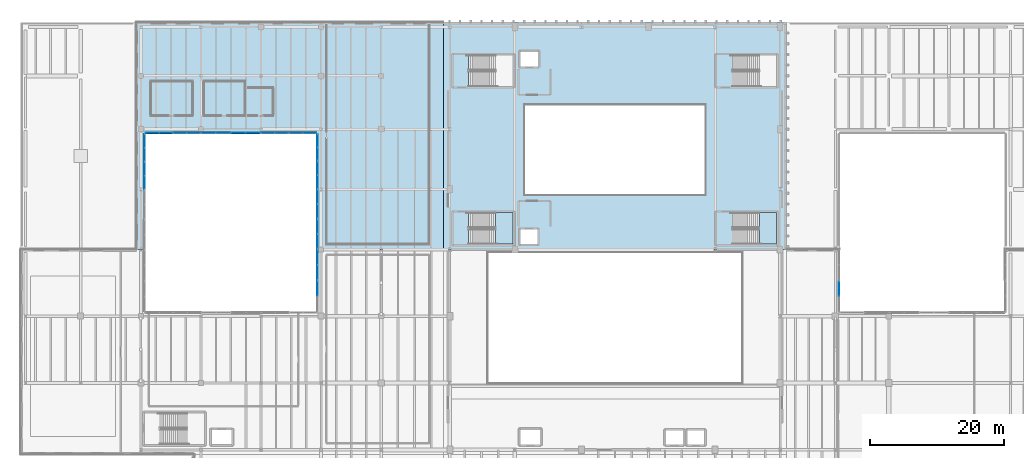
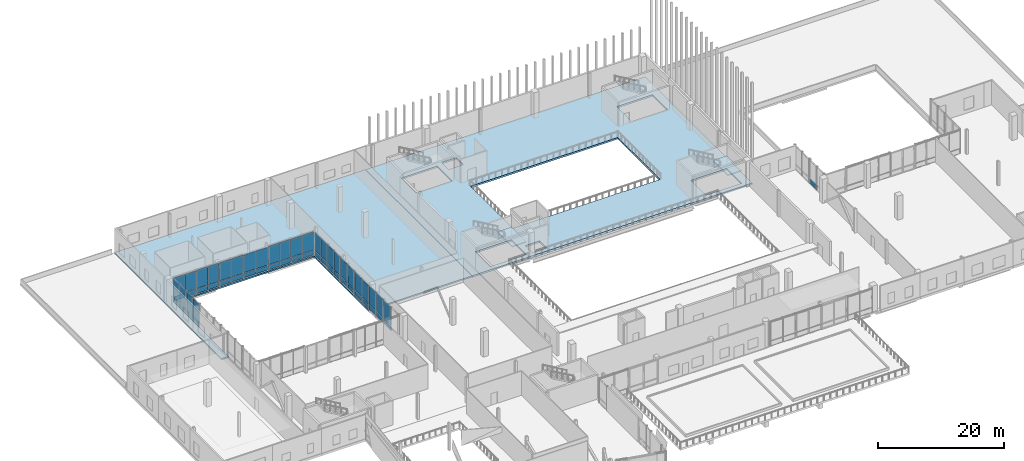
# One storey, part 37 of 60: 55 plates, 4 slabs, 17 elements without a shape of their own.
"""IFC4 building model written with IfcOpenShell, lengths in metres."""

from ifc_helpers import new_model, si_unit, direction, frame, origin, origin_2d, place, context, subcontext, project, spatial, polyline, rectangle, outline, extrude, material, layer, layer_set, type_object, element, aggregate, save


model = new_model("IFC4")

# Units and contexts
model_context = context("Model", 3, precision=1e-05, world=origin(), true_north=direction((0.0, 1.0)))
body_context = subcontext(model_context, "Body", "Model", "MODEL_VIEW")
ifc_project = project(units=[si_unit("LENGTHUNIT", "METRE"), si_unit("AREAUNIT", "SQUARE_METRE"), si_unit("VOLUMEUNIT", "CUBIC_METRE"), si_unit("PLANEANGLEUNIT", "RADIAN"), si_unit("MASSUNIT", "GRAM", prefix="KILO")], contexts=[model_context])

# Site, building, storey
site_placement = place(None, origin())
site = spatial("IfcSite", under=ifc_project, at=site_placement, CompositionType="ELEMENT")
building_placement = place(site_placement, origin())
building = spatial("IfcBuilding", under=site, at=building_placement, Name="Trimount Lyric Opera House", CompositionType="ELEMENT")
storey_placement = place(building_placement, frame((0.0, 0.0, 15.0)))
storey = spatial("IfcBuildingStorey", under=building, at=storey_placement, Name="L03", CompositionType="ELEMENT", Elevation=15.0)

# Curtain wall, plate
ifc_material_1 = material(Name="Thermally Broken Aluminium and Low-E Glass", Category="aluminium")
curtain_wall_type = type_object("IfcCurtainWallType", Name="CW-03", PredefinedType="NOTDEFINED", material=ifc_material_1)
curtain_wall_1_placement = place(storey_placement, origin())
curtain_wall_1 = element("IfcCurtainWall", 1, at=curtain_wall_1_placement, inside=storey, type_object=curtain_wall_type, Name="L03 curtain wall 248", PredefinedType="NOTDEFINED")
ifc_material_2 = material(Name="Triple Low-E Acoustic Laminated Glass", Category="glass")
ifc_layer_1 = layer(ifc_material_2, 0.035888671875)
ifc_layer_set_1 = layer_set([ifc_layer_1], Name="CWP-01")
plate_type_1 = type_object("IfcPlateType", Name="CWP-01", PredefinedType="CURTAIN_PANEL", material=ifc_layer_set_1)
plate_1_placement = place(storey_placement, frame((122.5400390625, 78.092529296875, 0.114990234375), z_axis=(0.0, 0.0, 1.0), x_axis=(0.0, -1.0, 0.0)))
plate_1 = element("IfcPlate", 2, at=plate_1_placement, type_object=plate_type_1, Name="CW-03 panel 1.1", PredefinedType="CURTAIN_PANEL", context=body_context, shape_type="SweptSolid", body=[
    extrude(rectangle(XDim=2.195068359375, YDim=0.035888671875, at=origin_2d()), origin(), (0.0, 0.0, 1.0), 0.87744140625),
])
aggregate(curtain_wall_1, [plate_1])

curtain_wall_2_placement = place(storey_placement, origin())
curtain_wall_2 = element("IfcCurtainWall", 3, at=curtain_wall_2_placement, inside=storey, type_object=curtain_wall_type, Name="L03 curtain wall 277", PredefinedType="NOTDEFINED")
plate_2_placement = place(storey_placement, frame((44.4599609375, 78.15869140625, 0.13525390625), z_axis=(0.0, 0.0, 1.0), x_axis=(0.0, 1.0, 0.0)))
plate_2 = element("IfcPlate", 4, at=plate_2_placement, type_object=plate_type_1, Name="CW-03 panel 2.1", PredefinedType="CURTAIN_PANEL", context=body_context, shape_type="SweptSolid", body=[
    extrude(rectangle(XDim=2.232421875, YDim=0.035888671875, at=origin_2d()), origin(), (0.0, 0.0, 1.0), 0.847412109375),
])

# Curtain wall, plates
curtain_wall_3_placement = place(storey_placement, origin())
curtain_wall_3 = element("IfcCurtainWall", 5, at=curtain_wall_3_placement, inside=storey, type_object=curtain_wall_type, Name="L03 curtain wall 278", PredefinedType="NOTDEFINED")
plate_3_placement = place(storey_placement, frame((44.4599609375, 80.58740234375, 0.114990234375), z_axis=(0.0, 0.0, 1.0), x_axis=(0.0, 1.0, 0.0)))
plate_3 = element("IfcPlate", 6, at=plate_3_placement, type_object=plate_type_1, Name="CW-03 panel 1.1", PredefinedType="CURTAIN_PANEL", context=body_context, shape_type="SweptSolid", body=[
    extrude(rectangle(XDim=2.195068359375, YDim=0.035888671875, at=origin_2d()), origin(), (0.0, 0.0, 1.0), 0.87744140625),
])
plate_4_placement = place(storey_placement, frame((44.4599609375, 82.842529296875, 0.114990234375), z_axis=(0.0, 0.0, 1.0), x_axis=(0.0, 1.0, 0.0)))
plate_4 = element("IfcPlate", 7, at=plate_4_placement, type_object=plate_type_1, Name="CW-03 panel 2.1", PredefinedType="CURTAIN_PANEL", context=body_context, shape_type="SweptSolid", body=[
    extrude(rectangle(XDim=2.195068359375, YDim=0.035888671875, at=origin_2d()), origin(), (0.0, 0.0, 1.0), 0.87744140625),
])

curtain_wall_4_placement = place(storey_placement, origin())
curtain_wall_4 = element("IfcCurtainWall", 8, at=curtain_wall_4_placement, inside=storey, type_object=curtain_wall_type, Name="L03 curtain wall 279", PredefinedType="NOTDEFINED")
plate_5_placement = place(storey_placement, frame((44.4599609375, 85.2099609375, 0.159912109375), z_axis=(0.0, 0.0, 1.0), x_axis=(0.0, 1.0, 0.0)))
plate_5 = element("IfcPlate", 9, at=plate_5_placement, type_object=plate_type_1, Name="CW-03 panel 1.1", PredefinedType="CURTAIN_PANEL", context=body_context, shape_type="SweptSolid", body=[
    extrude(rectangle(XDim=2.10009765625, YDim=0.035888671875, at=origin_2d()), origin(), (0.0, 0.0, 1.0), 0.81005859375),
])
plate_6_placement = place(storey_placement, frame((44.4599609375, 87.3798828125, 0.159912109375), z_axis=(0.0, 0.0, 1.0), x_axis=(0.0, 1.0, 0.0)))
plate_6 = element("IfcPlate", 10, at=plate_6_placement, type_object=plate_type_1, Name="CW-03 panel 2.1", PredefinedType="CURTAIN_PANEL", context=body_context, shape_type="SweptSolid", body=[
    extrude(rectangle(XDim=2.10009765625, YDim=0.035888671875, at=origin_2d()), origin(), (0.0, 0.0, 1.0), 0.81005859375),
])

curtain_wall_5_placement = place(storey_placement, origin())
curtain_wall_5 = element("IfcCurtainWall", 11, at=curtain_wall_5_placement, inside=storey, type_object=curtain_wall_type, Name="L03 curtain wall 280", PredefinedType="NOTDEFINED")
plate_7_placement = place(storey_placement, frame((44.4599609375, 89.708740234375, 0.13525390625), z_axis=(0.0, 0.0, 1.0), x_axis=(0.0, 1.0, 0.0)))
plate_7 = element("IfcPlate", 12, at=plate_7_placement, type_object=plate_type_1, Name="CW-03 panel 1.1", PredefinedType="CURTAIN_PANEL", context=body_context, shape_type="SweptSolid", body=[
    extrude(rectangle(XDim=2.107421875, YDim=0.035888671875, at=origin_2d()), origin(), (0.0, 0.0, 1.0), 0.847412109375),
])
plate_8_placement = place(storey_placement, frame((44.4599609375, 91.88134765625, 0.13525390625), z_axis=(0.0, 0.0, 1.0), x_axis=(0.0, 1.0, 0.0)))
plate_8 = element("IfcPlate", 13, at=plate_8_placement, type_object=plate_type_1, Name="CW-03 panel 2.1", PredefinedType="CURTAIN_PANEL", context=body_context, shape_type="SweptSolid", body=[
    extrude(rectangle(XDim=2.107421875, YDim=0.035888671875, at=origin_2d()), origin(), (0.0, 0.0, 1.0), 0.847412109375),
])

curtain_wall_6_placement = place(storey_placement, origin())
curtain_wall_6 = element("IfcCurtainWall", 14, at=curtain_wall_6_placement, inside=storey, type_object=curtain_wall_type, Name="L03 curtain wall 281", PredefinedType="NOTDEFINED")
plate_9_placement = place(storey_placement, frame((44.4599609375, 94.12255859375, 0.114990234375), z_axis=(0.0, 0.0, 1.0), x_axis=(0.0, 1.0, 0.0)))
plate_9 = element("IfcPlate", 15, at=plate_9_placement, type_object=plate_type_1, Name="CW-03 panel 1.1", PredefinedType="CURTAIN_PANEL", context=body_context, shape_type="SweptSolid", body=[
    extrude(rectangle(XDim=1.945068359375, YDim=0.035888671875, at=origin_2d()), origin(), (0.0, 0.0, 1.0), 0.87744140625),
])
plate_10_placement = place(storey_placement, frame((44.4599609375, 96.12744140625, 0.114990234375), z_axis=(0.0, 0.0, 1.0), x_axis=(0.0, 1.0, 0.0)))
plate_10 = element("IfcPlate", 16, at=plate_10_placement, type_object=plate_type_1, Name="CW-03 panel 2.1", PredefinedType="CURTAIN_PANEL", context=body_context, shape_type="SweptSolid", body=[
    extrude(rectangle(XDim=1.945068359375, YDim=0.035888671875, at=origin_2d()), origin(), (0.0, 0.0, 1.0), 0.87744140625),
])

curtain_wall_7_placement = place(storey_placement, origin())
curtain_wall_7 = element("IfcCurtainWall", 17, at=curtain_wall_7_placement, inside=storey, type_object=curtain_wall_type, Name="L03 curtain wall 282", PredefinedType="NOTDEFINED")
plate_11_placement = place(storey_placement, frame((44.4599609375, 98.284912109375, 0.159912109375), z_axis=(0.0, 0.0, 1.0), x_axis=(0.0, 1.0, 0.0)))
plate_11 = element("IfcPlate", 18, at=plate_11_placement, type_object=plate_type_1, Name="CW-03 panel 1.1", PredefinedType="CURTAIN_PANEL", context=body_context, shape_type="SweptSolid", body=[
    extrude(rectangle(XDim=1.929931640625, YDim=0.035888671875, at=origin_2d()), origin(), (0.0, 0.0, 1.0), 0.81005859375),
])
plate_12_placement = place(storey_placement, frame((44.4599609375, 100.284912109375, 0.159912109375), z_axis=(0.0, 0.0, 1.0), x_axis=(0.0, 1.0, 0.0)))
plate_12 = element("IfcPlate", 19, at=plate_12_placement, type_object=plate_type_1, Name="CW-03 panel 2.1", PredefinedType="CURTAIN_PANEL", context=body_context, shape_type="SweptSolid", body=[
    extrude(rectangle(XDim=1.929931640625, YDim=0.035888671875, at=origin_2d()), origin(), (0.0, 0.0, 1.0), 0.81005859375),
])

curtain_wall_8_placement = place(storey_placement, origin())
curtain_wall_8 = element("IfcCurtainWall", 20, at=curtain_wall_8_placement, inside=storey, type_object=curtain_wall_type, Name="L03 curtain wall 283", PredefinedType="NOTDEFINED")
plate_13_placement = place(storey_placement, frame((43.263671875, 101.4599609375, 0.13525390625), z_axis=(0.0, 0.0, 1.0), x_axis=(-1.0, 0.0, 0.0)))
plate_13 = element("IfcPlate", 21, at=plate_13_placement, type_object=plate_type_1, Name="CW-03 panel 1.1", PredefinedType="CURTAIN_PANEL", context=body_context, shape_type="SweptSolid", body=[
    extrude(rectangle(XDim=1.982421875, YDim=0.035888671875, at=origin_2d()), origin(), (0.0, 0.0, 1.0), 0.847412109375),
])
plate_14_placement = place(storey_placement, frame((41.21630859375, 101.4599609375, 0.13525390625), z_axis=(0.0, 0.0, 1.0), x_axis=(-1.0, 0.0, 0.0)))
plate_14 = element("IfcPlate", 22, at=plate_14_placement, type_object=plate_type_1, Name="CW-03 panel 2.1", PredefinedType="CURTAIN_PANEL", context=body_context, shape_type="SweptSolid", body=[
    extrude(rectangle(XDim=1.982421875, YDim=0.035888671875, at=origin_2d()), origin(), (0.0, 0.0, 1.0), 0.847412109375),
])

curtain_wall_9_placement = place(storey_placement, origin())
curtain_wall_9 = element("IfcCurtainWall", 23, at=curtain_wall_9_placement, inside=storey, type_object=curtain_wall_type, Name="L03 curtain wall 284", PredefinedType="NOTDEFINED")
plate_15_placement = place(storey_placement, frame((39.03759765625, 101.4599609375, 0.114990234375), z_axis=(0.0, 0.0, 1.0), x_axis=(-1.0, 0.0, 0.0)))
plate_15 = element("IfcPlate", 24, at=plate_15_placement, type_object=plate_type_1, Name="CW-03 panel 1.1", PredefinedType="CURTAIN_PANEL", context=body_context, shape_type="SweptSolid", body=[
    extrude(rectangle(XDim=1.945068359375, YDim=0.035888671875, at=origin_2d()), origin(), (0.0, 0.0, 1.0), 0.87744140625),
])
plate_16_placement = place(storey_placement, frame((37.032470703125, 101.4599609375, 0.114990234375), z_axis=(0.0, 0.0, 1.0), x_axis=(-1.0, 0.0, 0.0)))
plate_16 = element("IfcPlate", 25, at=plate_16_placement, type_object=plate_type_1, Name="CW-03 panel 2.1", PredefinedType="CURTAIN_PANEL", context=body_context, shape_type="SweptSolid", body=[
    extrude(rectangle(XDim=1.945068359375, YDim=0.035888671875, at=origin_2d()), origin(), (0.0, 0.0, 1.0), 0.87744140625),
])

curtain_wall_10_placement = place(storey_placement, origin())
curtain_wall_10 = element("IfcCurtainWall", 26, at=curtain_wall_10_placement, inside=storey, type_object=curtain_wall_type, Name="L03 curtain wall 285", PredefinedType="NOTDEFINED")
plate_17_placement = place(storey_placement, frame((34.7900390625, 101.4599609375, 0.159912109375), z_axis=(0.0, 0.0, 1.0), x_axis=(-1.0, 0.0, 0.0)))
plate_17 = element("IfcPlate", 27, at=plate_17_placement, type_object=plate_type_1, Name="CW-03 panel 1.1", PredefinedType="CURTAIN_PANEL", context=body_context, shape_type="SweptSolid", body=[
    extrude(rectangle(XDim=2.10009765625, YDim=0.035888671875, at=origin_2d()), origin(), (0.0, 0.0, 1.0), 0.81005859375),
])
plate_18_placement = place(storey_placement, frame((32.6201171875, 101.4599609375, 0.159912109375), z_axis=(0.0, 0.0, 1.0), x_axis=(-1.0, 0.0, 0.0)))
plate_18 = element("IfcPlate", 28, at=plate_18_placement, type_object=plate_type_1, Name="CW-03 panel 2.1", PredefinedType="CURTAIN_PANEL", context=body_context, shape_type="SweptSolid", body=[
    extrude(rectangle(XDim=2.10009765625, YDim=0.035888671875, at=origin_2d()), origin(), (0.0, 0.0, 1.0), 0.81005859375),
])

curtain_wall_11_placement = place(storey_placement, origin())
curtain_wall_11 = element("IfcCurtainWall", 29, at=curtain_wall_11_placement, inside=storey, type_object=curtain_wall_type, Name="L03 curtain wall 286", PredefinedType="NOTDEFINED")
plate_19_placement = place(storey_placement, frame((30.291259765625, 101.4599609375, 0.13525390625), z_axis=(0.0, 0.0, 1.0), x_axis=(-1.0, 0.0, 0.0)))
plate_19 = element("IfcPlate", 30, at=plate_19_placement, type_object=plate_type_1, Name="CW-03 panel 1.1", PredefinedType="CURTAIN_PANEL", context=body_context, shape_type="SweptSolid", body=[
    extrude(rectangle(XDim=2.107421875, YDim=0.035888671875, at=origin_2d()), origin(), (0.0, 0.0, 1.0), 0.847412109375),
])
plate_20_placement = place(storey_placement, frame((28.11865234375, 101.4599609375, 0.13525390625), z_axis=(0.0, 0.0, 1.0), x_axis=(-1.0, 0.0, 0.0)))
plate_20 = element("IfcPlate", 31, at=plate_20_placement, type_object=plate_type_1, Name="CW-03 panel 2.1", PredefinedType="CURTAIN_PANEL", context=body_context, shape_type="SweptSolid", body=[
    extrude(rectangle(XDim=2.107421875, YDim=0.035888671875, at=origin_2d()), origin(), (0.0, 0.0, 1.0), 0.847412109375),
])

curtain_wall_12_placement = place(storey_placement, origin())
curtain_wall_12 = element("IfcCurtainWall", 32, at=curtain_wall_12_placement, inside=storey, type_object=curtain_wall_type, Name="L03 curtain wall 287", PredefinedType="NOTDEFINED")
plate_21_placement = place(storey_placement, frame((25.87744140625, 101.4599609375, 0.114990234375), z_axis=(0.0, 0.0, 1.0), x_axis=(-1.0, 0.0, 0.0)))
plate_21 = element("IfcPlate", 33, at=plate_21_placement, type_object=plate_type_1, Name="CW-03 panel 1.1", PredefinedType="CURTAIN_PANEL", context=body_context, shape_type="SweptSolid", body=[
    extrude(rectangle(XDim=1.945068359375, YDim=0.035888671875, at=origin_2d()), origin(), (0.0, 0.0, 1.0), 0.87744140625),
])
plate_22_placement = place(storey_placement, frame((23.87255859375, 101.4599609375, 0.114990234375), z_axis=(0.0, 0.0, 1.0), x_axis=(-1.0, 0.0, 0.0)))
plate_22 = element("IfcPlate", 34, at=plate_22_placement, type_object=plate_type_1, Name="CW-03 panel 2.1", PredefinedType="CURTAIN_PANEL", context=body_context, shape_type="SweptSolid", body=[
    extrude(rectangle(XDim=1.945068359375, YDim=0.035888671875, at=origin_2d()), origin(), (0.0, 0.0, 1.0), 0.87744140625),
])

curtain_wall_13_placement = place(storey_placement, origin())
curtain_wall_13 = element("IfcCurtainWall", 35, at=curtain_wall_13_placement, inside=storey, type_object=curtain_wall_type, Name="L03 curtain wall 288", PredefinedType="NOTDEFINED")
plate_23_placement = place(storey_placement, frame((21.715087890625, 101.4599609375, 0.159912109375), z_axis=(0.0, 0.0, 1.0), x_axis=(-1.0, 0.0, 0.0)))
plate_23 = element("IfcPlate", 36, at=plate_23_placement, type_object=plate_type_1, Name="CW-03 panel 1.1", PredefinedType="CURTAIN_PANEL", context=body_context, shape_type="SweptSolid", body=[
    extrude(rectangle(XDim=1.929931640625, YDim=0.035888671875, at=origin_2d()), origin(), (0.0, 0.0, 1.0), 0.81005859375),
])
plate_24_placement = place(storey_placement, frame((19.715087890625, 101.4599609375, 0.159912109375), z_axis=(0.0, 0.0, 1.0), x_axis=(-1.0, 0.0, 0.0)))
plate_24 = element("IfcPlate", 37, at=plate_24_placement, type_object=plate_type_1, Name="CW-03 panel 2.1", PredefinedType="CURTAIN_PANEL", context=body_context, shape_type="SweptSolid", body=[
    extrude(rectangle(XDim=1.929931640625, YDim=0.035888671875, at=origin_2d()), origin(), (0.0, 0.0, 1.0), 0.81005859375),
])

curtain_wall_14_placement = place(storey_placement, origin())
curtain_wall_14 = element("IfcCurtainWall", 38, at=curtain_wall_14_placement, inside=storey, type_object=curtain_wall_type, Name="L03 curtain wall 289", PredefinedType="NOTDEFINED")
plate_25_placement = place(storey_placement, frame((18.5400390625, 100.263671875, 0.13525390625), z_axis=(0.0, 0.0, 1.0), x_axis=(0.0, -1.0, 0.0)))
plate_25 = element("IfcPlate", 39, at=plate_25_placement, type_object=plate_type_1, Name="CW-03 panel 1.1", PredefinedType="CURTAIN_PANEL", context=body_context, shape_type="SweptSolid", body=[
    extrude(rectangle(XDim=1.982421875, YDim=0.035888671875, at=origin_2d()), origin(), (0.0, 0.0, 1.0), 0.847412109375),
])
plate_26_placement = place(storey_placement, frame((18.5400390625, 98.21630859375, 0.13525390625), z_axis=(0.0, 0.0, 1.0), x_axis=(0.0, -1.0, 0.0)))
plate_26 = element("IfcPlate", 40, at=plate_26_placement, type_object=plate_type_1, Name="CW-03 panel 2.1", PredefinedType="CURTAIN_PANEL", context=body_context, shape_type="SweptSolid", body=[
    extrude(rectangle(XDim=1.982421875, YDim=0.035888671875, at=origin_2d()), origin(), (0.0, 0.0, 1.0), 0.847412109375),
])

curtain_wall_15_placement = place(storey_placement, origin())
curtain_wall_15 = element("IfcCurtainWall", 41, at=curtain_wall_15_placement, inside=storey, type_object=curtain_wall_type, Name="L03 curtain wall 290", PredefinedType="NOTDEFINED")
plate_27_placement = place(storey_placement, frame((18.5400390625, 96.03759765625, 0.114990234375), z_axis=(0.0, 0.0, 1.0), x_axis=(0.0, -1.0, 0.0)))
plate_27 = element("IfcPlate", 42, at=plate_27_placement, type_object=plate_type_1, Name="CW-03 panel 1.1", PredefinedType="CURTAIN_PANEL", context=body_context, shape_type="SweptSolid", body=[
    extrude(rectangle(XDim=1.945068359375, YDim=0.035888671875, at=origin_2d()), origin(), (0.0, 0.0, 1.0), 0.87744140625),
])
plate_28_placement = place(storey_placement, frame((18.5400390625, 94.032470703125, 0.114990234375), z_axis=(0.0, 0.0, 1.0), x_axis=(0.0, -1.0, 0.0)))
plate_28 = element("IfcPlate", 43, at=plate_28_placement, type_object=plate_type_1, Name="CW-03 panel 2.1", PredefinedType="CURTAIN_PANEL", context=body_context, shape_type="SweptSolid", body=[
    extrude(rectangle(XDim=1.945068359375, YDim=0.035888671875, at=origin_2d()), origin(), (0.0, 0.0, 1.0), 0.87744140625),
])

# Plate
ifc_material_3 = material(Name="Insulated Aluminium Shadow-Box Spandrel Panel", Category="aluminium")
ifc_layer_2 = layer(ifc_material_3, 0.0419921875)
ifc_layer_set_2 = layer_set([ifc_layer_2], Name="CWP-04")
plate_type_2 = type_object("IfcPlateType", Name="CWP-04", PredefinedType="CURTAIN_PANEL", material=ifc_layer_set_2)
plate_29_placement = place(storey_placement, frame((44.4599609375, 78.15869140625, 1.11767578125), z_axis=(0.0, 0.0, 1.0), x_axis=(0.0, 1.0, 0.0)))
plate_29 = element("IfcPlate", 44, at=plate_29_placement, type_object=plate_type_2, Name="CW-03 panel 2.2", PredefinedType="CURTAIN_PANEL", context=body_context, shape_type="SweptSolid", body=[
    extrude(rectangle(XDim=2.232421875, YDim=0.035888671875, at=origin_2d()), origin(), (0.0, 0.0, 1.0), 3.467529296875),
])

aggregate(curtain_wall_2, [plate_2, plate_29])

plate_30_placement = place(storey_placement, frame((44.4599609375, 80.58740234375, 1.107421875), z_axis=(0.0, 0.0, 1.0), x_axis=(0.0, 1.0, 0.0)))
plate_30 = element("IfcPlate", 45, at=plate_30_placement, type_object=plate_type_2, Name="CW-03 panel 1.2", PredefinedType="CURTAIN_PANEL", context=body_context, shape_type="SweptSolid", body=[
    extrude(rectangle(XDim=2.195068359375, YDim=0.035888671875, at=origin_2d()), origin(), (0.0, 0.0, 1.0), 3.49755859375),
])

plate_31_placement = place(storey_placement, frame((44.4599609375, 82.842529296875, 1.107421875), z_axis=(0.0, 0.0, 1.0), x_axis=(0.0, 1.0, 0.0)))
plate_31 = element("IfcPlate", 46, at=plate_31_placement, type_object=plate_type_2, Name="CW-03 panel 2.2", PredefinedType="CURTAIN_PANEL", context=body_context, shape_type="SweptSolid", body=[
    extrude(rectangle(XDim=2.195068359375, YDim=0.035888671875, at=origin_2d()), origin(), (0.0, 0.0, 1.0), 3.49755859375),
])

aggregate(curtain_wall_3, [plate_3, plate_30, plate_4, plate_31])

plate_32_placement = place(storey_placement, frame((44.4599609375, 85.2099609375, 1.1298828125), z_axis=(0.0, 0.0, 1.0), x_axis=(0.0, 1.0, 0.0)))
plate_32 = element("IfcPlate", 47, at=plate_32_placement, type_object=plate_type_2, Name="CW-03 panel 1.2", PredefinedType="CURTAIN_PANEL", context=body_context, shape_type="SweptSolid", body=[
    extrude(rectangle(XDim=2.10009765625, YDim=0.035888671875, at=origin_2d()), origin(), (0.0, 0.0, 1.0), 3.429931640625),
])

plate_33_placement = place(storey_placement, frame((44.4599609375, 87.3798828125, 1.1298828125), z_axis=(0.0, 0.0, 1.0), x_axis=(0.0, 1.0, 0.0)))
plate_33 = element("IfcPlate", 48, at=plate_33_placement, type_object=plate_type_2, Name="CW-03 panel 2.2", PredefinedType="CURTAIN_PANEL", context=body_context, shape_type="SweptSolid", body=[
    extrude(rectangle(XDim=2.10009765625, YDim=0.035888671875, at=origin_2d()), origin(), (0.0, 0.0, 1.0), 3.429931640625),
])

aggregate(curtain_wall_4, [plate_5, plate_32, plate_6, plate_33])

plate_34_placement = place(storey_placement, frame((44.4599609375, 89.708740234375, 1.11767578125), z_axis=(0.0, 0.0, 1.0), x_axis=(0.0, 1.0, 0.0)))
plate_34 = element("IfcPlate", 49, at=plate_34_placement, type_object=plate_type_2, Name="CW-03 panel 1.2", PredefinedType="CURTAIN_PANEL", context=body_context, shape_type="SweptSolid", body=[
    extrude(rectangle(XDim=2.107421875, YDim=0.035888671875, at=origin_2d()), origin(), (0.0, 0.0, 1.0), 3.467529296875),
])

plate_35_placement = place(storey_placement, frame((44.4599609375, 91.88134765625, 1.11767578125), z_axis=(0.0, 0.0, 1.0), x_axis=(0.0, 1.0, 0.0)))
plate_35 = element("IfcPlate", 50, at=plate_35_placement, type_object=plate_type_2, Name="CW-03 panel 2.2", PredefinedType="CURTAIN_PANEL", context=body_context, shape_type="SweptSolid", body=[
    extrude(rectangle(XDim=2.107421875, YDim=0.035888671875, at=origin_2d()), origin(), (0.0, 0.0, 1.0), 3.467529296875),
])

aggregate(curtain_wall_5, [plate_7, plate_34, plate_8, plate_35])

plate_36_placement = place(storey_placement, frame((44.4599609375, 94.12255859375, 1.107421875), z_axis=(0.0, 0.0, 1.0), x_axis=(0.0, 1.0, 0.0)))
plate_36 = element("IfcPlate", 51, at=plate_36_placement, type_object=plate_type_2, Name="CW-03 panel 1.2", PredefinedType="CURTAIN_PANEL", context=body_context, shape_type="SweptSolid", body=[
    extrude(rectangle(XDim=1.945068359375, YDim=0.035888671875, at=origin_2d()), origin(), (0.0, 0.0, 1.0), 3.49755859375),
])

plate_37_placement = place(storey_placement, frame((44.4599609375, 96.12744140625, 1.107421875), z_axis=(0.0, 0.0, 1.0), x_axis=(0.0, 1.0, 0.0)))
plate_37 = element("IfcPlate", 52, at=plate_37_placement, type_object=plate_type_2, Name="CW-03 panel 2.2", PredefinedType="CURTAIN_PANEL", context=body_context, shape_type="SweptSolid", body=[
    extrude(rectangle(XDim=1.945068359375, YDim=0.035888671875, at=origin_2d()), origin(), (0.0, 0.0, 1.0), 3.49755859375),
])

aggregate(curtain_wall_6, [plate_9, plate_36, plate_10, plate_37])

plate_38_placement = place(storey_placement, frame((44.4599609375, 98.284912109375, 1.1298828125), z_axis=(0.0, 0.0, 1.0), x_axis=(0.0, 1.0, 0.0)))
plate_38 = element("IfcPlate", 53, at=plate_38_placement, type_object=plate_type_2, Name="CW-03 panel 1.2", PredefinedType="CURTAIN_PANEL", context=body_context, shape_type="SweptSolid", body=[
    extrude(rectangle(XDim=1.929931640625, YDim=0.035888671875, at=origin_2d()), origin(), (0.0, 0.0, 1.0), 3.429931640625),
])

plate_39_placement = place(storey_placement, frame((44.4599609375, 100.284912109375, 1.1298828125), z_axis=(0.0, 0.0, 1.0), x_axis=(0.0, 1.0, 0.0)))
plate_39 = element("IfcPlate", 54, at=plate_39_placement, type_object=plate_type_2, Name="CW-03 panel 2.2", PredefinedType="CURTAIN_PANEL", context=body_context, shape_type="SweptSolid", body=[
    extrude(rectangle(XDim=1.929931640625, YDim=0.035888671875, at=origin_2d()), origin(), (0.0, 0.0, 1.0), 3.429931640625),
])

aggregate(curtain_wall_7, [plate_11, plate_38, plate_12, plate_39])

plate_40_placement = place(storey_placement, frame((43.263671875, 101.4599609375, 1.11767578125), z_axis=(0.0, 0.0, 1.0), x_axis=(-1.0, 0.0, 0.0)))
plate_40 = element("IfcPlate", 55, at=plate_40_placement, type_object=plate_type_2, Name="CW-03 panel 1.2", PredefinedType="CURTAIN_PANEL", context=body_context, shape_type="SweptSolid", body=[
    extrude(rectangle(XDim=1.982421875, YDim=0.035888671875, at=origin_2d()), origin(), (0.0, 0.0, 1.0), 3.467529296875),
])

plate_41_placement = place(storey_placement, frame((41.21630859375, 101.4599609375, 1.11767578125), z_axis=(0.0, 0.0, 1.0), x_axis=(-1.0, 0.0, 0.0)))
plate_41 = element("IfcPlate", 56, at=plate_41_placement, type_object=plate_type_2, Name="CW-03 panel 2.2", PredefinedType="CURTAIN_PANEL", context=body_context, shape_type="SweptSolid", body=[
    extrude(rectangle(XDim=1.982421875, YDim=0.035888671875, at=origin_2d()), origin(), (0.0, 0.0, 1.0), 3.467529296875),
])

aggregate(curtain_wall_8, [plate_13, plate_40, plate_14, plate_41])

plate_42_placement = place(storey_placement, frame((39.03759765625, 101.4599609375, 1.107421875), z_axis=(0.0, 0.0, 1.0), x_axis=(-1.0, 0.0, 0.0)))
plate_42 = element("IfcPlate", 57, at=plate_42_placement, type_object=plate_type_2, Name="CW-03 panel 1.2", PredefinedType="CURTAIN_PANEL", context=body_context, shape_type="SweptSolid", body=[
    extrude(rectangle(XDim=1.945068359375, YDim=0.035888671875, at=origin_2d()), origin(), (0.0, 0.0, 1.0), 3.49755859375),
])

plate_43_placement = place(storey_placement, frame((37.032470703125, 101.4599609375, 1.107421875), z_axis=(0.0, 0.0, 1.0), x_axis=(-1.0, 0.0, 0.0)))
plate_43 = element("IfcPlate", 58, at=plate_43_placement, type_object=plate_type_2, Name="CW-03 panel 2.2", PredefinedType="CURTAIN_PANEL", context=body_context, shape_type="SweptSolid", body=[
    extrude(rectangle(XDim=1.945068359375, YDim=0.035888671875, at=origin_2d()), origin(), (0.0, 0.0, 1.0), 3.49755859375),
])

aggregate(curtain_wall_9, [plate_15, plate_42, plate_16, plate_43])

plate_44_placement = place(storey_placement, frame((34.7900390625, 101.4599609375, 1.1298828125), z_axis=(0.0, 0.0, 1.0), x_axis=(-1.0, 0.0, 0.0)))
plate_44 = element("IfcPlate", 59, at=plate_44_placement, type_object=plate_type_2, Name="CW-03 panel 1.2", PredefinedType="CURTAIN_PANEL", context=body_context, shape_type="SweptSolid", body=[
    extrude(rectangle(XDim=2.10009765625, YDim=0.035888671875, at=origin_2d()), origin(), (0.0, 0.0, 1.0), 3.429931640625),
])

plate_45_placement = place(storey_placement, frame((32.6201171875, 101.4599609375, 1.1298828125), z_axis=(0.0, 0.0, 1.0), x_axis=(-1.0, 0.0, 0.0)))
plate_45 = element("IfcPlate", 60, at=plate_45_placement, type_object=plate_type_2, Name="CW-03 panel 2.2", PredefinedType="CURTAIN_PANEL", context=body_context, shape_type="SweptSolid", body=[
    extrude(rectangle(XDim=2.10009765625, YDim=0.035888671875, at=origin_2d()), origin(), (0.0, 0.0, 1.0), 3.429931640625),
])

aggregate(curtain_wall_10, [plate_17, plate_44, plate_18, plate_45])

plate_46_placement = place(storey_placement, frame((30.291259765625, 101.4599609375, 1.11767578125), z_axis=(0.0, 0.0, 1.0), x_axis=(-1.0, 0.0, 0.0)))
plate_46 = element("IfcPlate", 61, at=plate_46_placement, type_object=plate_type_2, Name="CW-03 panel 1.2", PredefinedType="CURTAIN_PANEL", context=body_context, shape_type="SweptSolid", body=[
    extrude(rectangle(XDim=2.107421875, YDim=0.035888671875, at=origin_2d()), origin(), (0.0, 0.0, 1.0), 3.467529296875),
])

plate_47_placement = place(storey_placement, frame((28.11865234375, 101.4599609375, 1.11767578125), z_axis=(0.0, 0.0, 1.0), x_axis=(-1.0, 0.0, 0.0)))
plate_47 = element("IfcPlate", 62, at=plate_47_placement, type_object=plate_type_2, Name="CW-03 panel 2.2", PredefinedType="CURTAIN_PANEL", context=body_context, shape_type="SweptSolid", body=[
    extrude(rectangle(XDim=2.107421875, YDim=0.035888671875, at=origin_2d()), origin(), (0.0, 0.0, 1.0), 3.467529296875),
])

aggregate(curtain_wall_11, [plate_19, plate_46, plate_20, plate_47])

plate_48_placement = place(storey_placement, frame((25.87744140625, 101.4599609375, 1.107421875), z_axis=(0.0, 0.0, 1.0), x_axis=(-1.0, 0.0, 0.0)))
plate_48 = element("IfcPlate", 63, at=plate_48_placement, type_object=plate_type_2, Name="CW-03 panel 1.2", PredefinedType="CURTAIN_PANEL", context=body_context, shape_type="SweptSolid", body=[
    extrude(rectangle(XDim=1.945068359375, YDim=0.035888671875, at=origin_2d()), origin(), (0.0, 0.0, 1.0), 3.49755859375),
])

plate_49_placement = place(storey_placement, frame((23.87255859375, 101.4599609375, 1.107421875), z_axis=(0.0, 0.0, 1.0), x_axis=(-1.0, 0.0, 0.0)))
plate_49 = element("IfcPlate", 64, at=plate_49_placement, type_object=plate_type_2, Name="CW-03 panel 2.2", PredefinedType="CURTAIN_PANEL", context=body_context, shape_type="SweptSolid", body=[
    extrude(rectangle(XDim=1.945068359375, YDim=0.035888671875, at=origin_2d()), origin(), (0.0, 0.0, 1.0), 3.49755859375),
])

aggregate(curtain_wall_12, [plate_21, plate_48, plate_22, plate_49])

plate_50_placement = place(storey_placement, frame((21.715087890625, 101.4599609375, 1.1298828125), z_axis=(0.0, 0.0, 1.0), x_axis=(-1.0, 0.0, 0.0)))
plate_50 = element("IfcPlate", 65, at=plate_50_placement, type_object=plate_type_2, Name="CW-03 panel 1.2", PredefinedType="CURTAIN_PANEL", context=body_context, shape_type="SweptSolid", body=[
    extrude(rectangle(XDim=1.929931640625, YDim=0.035888671875, at=origin_2d()), origin(), (0.0, 0.0, 1.0), 3.429931640625),
])

plate_51_placement = place(storey_placement, frame((19.715087890625, 101.4599609375, 1.1298828125), z_axis=(0.0, 0.0, 1.0), x_axis=(-1.0, 0.0, 0.0)))
plate_51 = element("IfcPlate", 66, at=plate_51_placement, type_object=plate_type_2, Name="CW-03 panel 2.2", PredefinedType="CURTAIN_PANEL", context=body_context, shape_type="SweptSolid", body=[
    extrude(rectangle(XDim=1.929931640625, YDim=0.035888671875, at=origin_2d()), origin(), (0.0, 0.0, 1.0), 3.429931640625),
])

aggregate(curtain_wall_13, [plate_23, plate_50, plate_24, plate_51])

plate_52_placement = place(storey_placement, frame((18.5400390625, 100.263671875, 1.11767578125), z_axis=(0.0, 0.0, 1.0), x_axis=(0.0, -1.0, 0.0)))
plate_52 = element("IfcPlate", 67, at=plate_52_placement, type_object=plate_type_2, Name="CW-03 panel 1.2", PredefinedType="CURTAIN_PANEL", context=body_context, shape_type="SweptSolid", body=[
    extrude(rectangle(XDim=1.982421875, YDim=0.035888671875, at=origin_2d()), origin(), (0.0, 0.0, 1.0), 3.467529296875),
])

plate_53_placement = place(storey_placement, frame((18.5400390625, 98.21630859375, 1.11767578125), z_axis=(0.0, 0.0, 1.0), x_axis=(0.0, -1.0, 0.0)))
plate_53 = element("IfcPlate", 68, at=plate_53_placement, type_object=plate_type_2, Name="CW-03 panel 2.2", PredefinedType="CURTAIN_PANEL", context=body_context, shape_type="SweptSolid", body=[
    extrude(rectangle(XDim=1.982421875, YDim=0.035888671875, at=origin_2d()), origin(), (0.0, 0.0, 1.0), 3.467529296875),
])

aggregate(curtain_wall_14, [plate_25, plate_52, plate_26, plate_53])

plate_54_placement = place(storey_placement, frame((18.5400390625, 96.03759765625, 1.107421875), z_axis=(0.0, 0.0, 1.0), x_axis=(0.0, -1.0, 0.0)))
plate_54 = element("IfcPlate", 69, at=plate_54_placement, type_object=plate_type_2, Name="CW-03 panel 1.2", PredefinedType="CURTAIN_PANEL", context=body_context, shape_type="SweptSolid", body=[
    extrude(rectangle(XDim=1.945068359375, YDim=0.035888671875, at=origin_2d()), origin(), (0.0, 0.0, 1.0), 3.49755859375),
])

plate_55_placement = place(storey_placement, frame((18.5400390625, 94.032470703125, 1.107421875), z_axis=(0.0, 0.0, 1.0), x_axis=(0.0, -1.0, 0.0)))
plate_55 = element("IfcPlate", 70, at=plate_55_placement, type_object=plate_type_2, Name="CW-03 panel 2.2", PredefinedType="CURTAIN_PANEL", context=body_context, shape_type="SweptSolid", body=[
    extrude(rectangle(XDim=1.945068359375, YDim=0.035888671875, at=origin_2d()), origin(), (0.0, 0.0, 1.0), 3.49755859375),
])

aggregate(curtain_wall_15, [plate_27, plate_54, plate_28, plate_55])

# Slabs
ifc_material_4 = material(Name="Concrete C40/50", Category="concrete")
ifc_layer_3 = layer(ifc_material_4, 0.280029296875)
ifc_layer_set_3 = layer_set([ifc_layer_3], Name="SL-FL280")
slab_type_1 = type_object("IfcSlabType", Name="SL-FL280", PredefinedType="FLOOR", material=ifc_layer_set_3)
slab_1_placement = place(storey_placement, frame((0.0, 0.0, -0.280029296875)))
element("IfcSlab", 71, at=slab_1_placement, inside=storey, type_object=slab_type_1, Name="L03 floor slab L03-WEST-N", PredefinedType="FLOOR", context=body_context, shape_type="SweptSolid", body=[
    extrude(outline(polyline([(63.320068359375, 118.0), (63.320068359375, 84.0), (44.320068359375, 84.0), (44.320068359375, 101.320068359375), (18.679931640625, 101.320068359375), (18.679931640625, 84.0), (17.320068359375, 84.0), (17.320068359375, 118.0), (63.320068359375, 118.0)])), origin(), (0.0, 0.0, 1.0), 0.280029296875),
])
ifc_material_5 = material(Name="Concrete C40/50", Category="concrete")
ifc_layer_4 = layer(ifc_material_5, 0.324951171875)
ifc_layer_set_4 = layer_set([ifc_layer_4], Name="SL-FL325")
slab_type_2 = type_object("IfcSlabType", Name="SL-FL325", PredefinedType="FLOOR", material=ifc_layer_set_4)
slab_2_placement = place(storey_placement, frame((0.0, 0.0, -0.324951171875)))
element("IfcSlab", 72, at=slab_2_placement, inside=storey, type_object=slab_type_2, Name="L03 floor slab L03-VOL1-N", PredefinedType="FLOOR", context=body_context, shape_type="SweptSolid", body=[
    extrude(outline(polyline([(114.679931640625, 118.0), (114.679931640625, 84.0), (63.320068359375, 84.0), (63.320068359375, 118.0), (114.679931640625, 118.0)]), holes=[polyline([(113.199951171875, 89.5), (106.60009765625, 89.5), (106.60009765625, 84.800048828125), (113.199951171875, 84.800048828125), (113.199951171875, 89.5)]), polyline([(113.199951171875, 113.10009765625), (106.60009765625, 113.10009765625), (106.60009765625, 108.39990234375), (113.199951171875, 108.39990234375), (113.199951171875, 113.10009765625)]), polyline([(75.5, 92.199951171875), (102.5, 92.199951171875), (102.5, 105.60009765625), (75.5, 105.60009765625), (75.5, 92.199951171875)]), polyline([(77.5, 113.60009765625), (74.800048828125, 113.60009765625), (74.800048828125, 111.39990234375), (77.5, 111.39990234375), (77.5, 113.60009765625)]), polyline([(77.39990234375, 87.0), (74.800048828125, 87.0), (74.800048828125, 84.800048828125), (77.39990234375, 84.800048828125), (77.39990234375, 87.0)]), polyline([(73.699951171875, 89.5), (67.10009765625, 89.5), (67.10009765625, 84.800048828125), (73.699951171875, 84.800048828125), (73.699951171875, 89.5)]), polyline([(73.699951171875, 113.10009765625), (67.10009765625, 113.10009765625), (67.10009765625, 108.39990234375), (73.699951171875, 108.39990234375), (73.699951171875, 113.10009765625)])]), origin(), (0.0, 0.0, 1.0), 0.324951171875),
])

# Stair, slab
ifc_material_6 = material(Name="Concrete C40/50", Category="concrete")
stair_type = type_object("IfcStairType", Name="STR-CORE-A", PredefinedType="TWO_QUARTER_TURN_STAIR", material=ifc_material_6)
stair_1_placement = place(storey_placement, origin())
stair_1 = element("IfcStair", 73, at=stair_1_placement, inside=storey, type_object=stair_type, Name="L03 Exit Stair ST-03", PredefinedType="TWO_QUARTER_TURN_STAIR")
ifc_material_7 = material(Name="Concrete C40/50", Category="concrete")
ifc_layer_5 = layer(ifc_material_7, 0.199951171875)
ifc_layer_set_5 = layer_set([ifc_layer_5], Name="SL-LND200")
slab_type_3 = type_object("IfcSlabType", Name="SL-LND200", PredefinedType="LANDING", material=ifc_layer_set_5)
slab_3_placement = place(storey_placement, frame((0.0, 0.0, 2.300048828125)))
slab_3 = element("IfcSlab", 74, at=slab_3_placement, type_object=slab_type_3, Name="ST-03 landing 1", PredefinedType="LANDING", context=body_context, shape_type="SweptSolid", body=[
    extrude(outline(polyline([(71.110107421875, 84.800048828125), (73.699951171875, 84.800048828125), (73.699951171875, 89.5), (71.110107421875, 89.5), (71.110107421875, 84.800048828125)])), origin(), (0.0, 0.0, 1.0), 0.199951171875),
])
aggregate(stair_1, [slab_3])

stair_2_placement = place(storey_placement, origin())
stair_2 = element("IfcStair", 75, at=stair_2_placement, inside=storey, type_object=stair_type, Name="L03 Exit Stair ST-04", PredefinedType="TWO_QUARTER_TURN_STAIR")
slab_4_placement = place(storey_placement, frame((0.0, 0.0, 2.300048828125)))
slab_4 = element("IfcSlab", 76, at=slab_4_placement, type_object=slab_type_3, Name="ST-04 landing 1", PredefinedType="LANDING", context=body_context, shape_type="SweptSolid", body=[
    extrude(outline(polyline([(110.610107421875, 84.800048828125), (113.199951171875, 84.800048828125), (113.199951171875, 89.5), (110.610107421875, 89.5), (110.610107421875, 84.800048828125)])), origin(), (0.0, 0.0, 1.0), 0.199951171875),
])
aggregate(stair_2, [slab_4])

save(model, "model.ifc")
